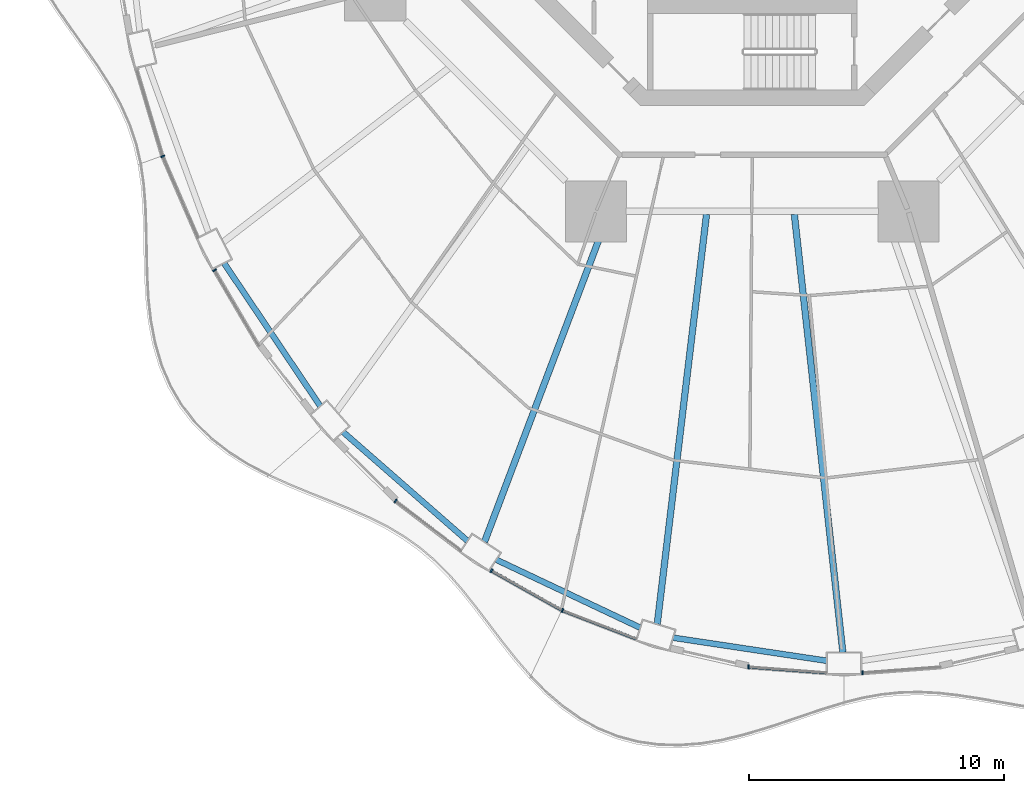
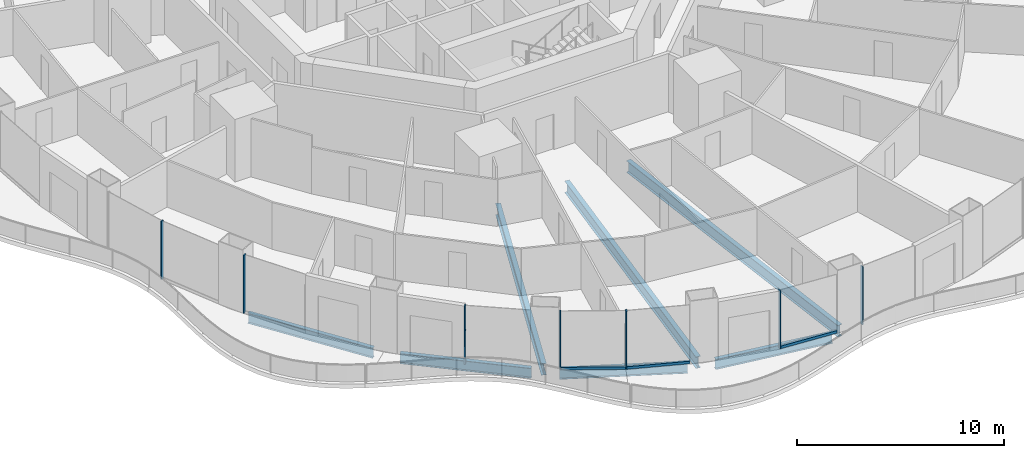
# One storey, part 2 of 22: 10 members, 7 beams, 7 elements without a shape of their own.
"""IFC4 building model written with IfcOpenShell, lengths in metres."""

from ifc_helpers import new_model, si_unit, direction, frame, origin, origin_2d, place, context, subcontext, project, spatial, rectangle, i_section, extrude, material, layer, layer_set, material_profile, profile_set, type_object, element, aggregate, save


model = new_model("IFC4")

# Units and contexts
model_context = context("Model", 3, precision=1e-05, world=origin(), true_north=direction((0.0, 1.0)))
body_context = subcontext(model_context, "Body", "Model", "MODEL_VIEW")
ifc_project = project(units=[si_unit("LENGTHUNIT", "METRE"), si_unit("AREAUNIT", "SQUARE_METRE"), si_unit("VOLUMEUNIT", "CUBIC_METRE"), si_unit("PLANEANGLEUNIT", "RADIAN"), si_unit("MASSUNIT", "GRAM", prefix="KILO")], contexts=[model_context])

# Site, building, storey
site_placement = place(None, origin())
site = spatial("IfcSite", under=ifc_project, at=site_placement, CompositionType="ELEMENT")
building_placement = place(site_placement, origin())
building = spatial("IfcBuilding", under=site, at=building_placement, Name="Nagisa Residences", CompositionType="ELEMENT")
storey_placement = place(building_placement, frame((0.0, 0.0, 52.89990234375)))
storey = spatial("IfcBuildingStorey", under=building, at=storey_placement, Name="L12", CompositionType="ELEMENT", Elevation=52.89990234375)

# Curtain wall, member
ifc_material_1 = material(Name="Concrete-coloured aluminium curtain wall system", Category="concrete")
ifc_layer = layer(ifc_material_1, 0.159912109375)
ifc_layer_set = layer_set([ifc_layer], Name="CW1 CURTAIN WALL")
curtain_wall_type = type_object("IfcCurtainWallType", Name="CW1 CURTAIN WALL", PredefinedType="NOTDEFINED", material=ifc_layer_set)
curtain_wall_1_placement = place(storey_placement, origin())
curtain_wall_1 = element("IfcCurtainWall", 1, at=curtain_wall_1_placement, inside=storey, type_object=curtain_wall_type, Name="cw:CW1:L12:27", PredefinedType="NOTDEFINED")
ifc_material_2 = material(Name="Concrete-coloured aluminium", Category="concrete")
ifc_material_profile_1 = material_profile(ifc_material_2, rectangle(XDim=0.159912109375, YDim=0.06005859375, at=origin_2d()), Name="CW1 MULLION 160x60")
ifc_profile_set_1 = profile_set([ifc_material_profile_1], Name="Concrete-coloured aluminium")
member_type_1 = type_object("IfcMemberType", Name="CW1 MULLION 160x60", PredefinedType="MULLION", material=ifc_profile_set_1)
member_1_placement = place(storey_placement, frame((-23.107177734375, -12.624267578125, 0.0), z_axis=(0.0, 0.0, 1.0), x_axis=(0.917543276295, 0.397635934147, 0.0)))
member_1 = element("IfcMember", 2, at=member_1_placement, type_object=member_type_1, Name="CW1 mullion", PredefinedType="MULLION", context=body_context, shape_type="SweptSolid", body=[
    extrude(rectangle(XDim=0.159912109375, YDim=0.06005859375, at=origin_2d()), origin(), (0.0, 0.0, 1.0), 3.440185546875),
])
aggregate(curtain_wall_1, [member_1])

curtain_wall_2_placement = place(storey_placement, origin())
curtain_wall_2 = element("IfcCurtainWall", 3, at=curtain_wall_2_placement, inside=storey, type_object=curtain_wall_type, Name="cw:CW1:L12:28", PredefinedType="NOTDEFINED")
member_2_placement = place(storey_placement, frame((-21.076171875, -17.089111328125, 0.0), z_axis=(0.0, 0.0, 1.0), x_axis=(0.862328898214, 0.506348567002, 0.0)))
member_2 = element("IfcMember", 4, at=member_2_placement, type_object=member_type_1, Name="CW1 mullion", PredefinedType="MULLION", context=body_context, shape_type="SweptSolid", body=[
    extrude(rectangle(XDim=0.159912109375, YDim=0.06005859375, at=origin_2d()), origin(), (0.0, 0.0, 1.0), 3.440185546875),
])
aggregate(curtain_wall_2, [member_2])

curtain_wall_3_placement = place(storey_placement, origin())
curtain_wall_3 = element("IfcCurtainWall", 5, at=curtain_wall_3_placement, inside=storey, type_object=curtain_wall_type, Name="cw:CW1:L12:31", PredefinedType="NOTDEFINED")
member_3_placement = place(storey_placement, frame((-13.981689453125, -26.13525390625, 0.0), z_axis=(0.0, 0.0, 1.0), x_axis=(0.605255421737, 0.79603132756, 0.0)))
member_3 = element("IfcMember", 6, at=member_3_placement, type_object=member_type_1, Name="CW1 mullion", PredefinedType="MULLION", context=body_context, shape_type="SweptSolid", body=[
    extrude(rectangle(XDim=0.159912109375, YDim=0.06005859375, at=origin_2d()), origin(), (0.0, 0.0, 1.0), 3.440185546875),
])
aggregate(curtain_wall_3, [member_3])

curtain_wall_4_placement = place(storey_placement, origin())
curtain_wall_4 = element("IfcCurtainWall", 7, at=curtain_wall_4_placement, inside=storey, type_object=curtain_wall_type, Name="cw:CW1:L12:32", PredefinedType="NOTDEFINED")
member_4_placement = place(storey_placement, frame((-10.22412109375, -28.8662109375, 0.0), z_axis=(0.0, 0.0, 1.0), x_axis=(0.489376918501, 0.872072377523, 0.0)))
member_4 = element("IfcMember", 8, at=member_4_placement, type_object=member_type_1, Name="CW1 mullion", PredefinedType="MULLION", context=body_context, shape_type="SweptSolid", body=[
    extrude(rectangle(XDim=0.159912109375, YDim=0.06005859375, at=origin_2d()), origin(), (0.0, 0.0, 1.0), 3.440185546875),
])

curtain_wall_5_placement = place(storey_placement, origin())
curtain_wall_5 = element("IfcCurtainWall", 9, at=curtain_wall_5_placement, inside=storey, type_object=curtain_wall_type, Name="cw:CW1:L12:33", PredefinedType="NOTDEFINED")
member_5_placement = place(storey_placement, frame((-7.44091796875, -30.42431640625, 0.0), z_axis=(0.0, 0.0, 1.0), x_axis=(0.360327770268, 0.932825759707, 0.0)))
member_5 = element("IfcMember", 10, at=member_5_placement, type_object=member_type_1, Name="CW1 mullion", PredefinedType="MULLION", context=body_context, shape_type="SweptSolid", body=[
    extrude(rectangle(XDim=0.159912109375, YDim=0.06005859375, at=origin_2d()), origin(), (0.0, 0.0, 1.0), 3.440185546875),
])

curtain_wall_6_placement = place(storey_placement, origin())
curtain_wall_6 = element("IfcCurtainWall", 11, at=curtain_wall_6_placement, inside=storey, type_object=curtain_wall_type, Name="cw:CW1:L12:35", PredefinedType="NOTDEFINED")
member_6_placement = place(storey_placement, frame((-0.1494140625, -32.64013671875, 0.0), z_axis=(0.0, 0.0, 1.0), x_axis=(0.074377355493, 0.997230168512, 0.0)))
member_6 = element("IfcMember", 12, at=member_6_placement, type_object=member_type_1, Name="CW1 mullion", PredefinedType="MULLION", context=body_context, shape_type="SweptSolid", body=[
    extrude(rectangle(XDim=0.159912109375, YDim=0.06005859375, at=origin_2d()), origin(), (0.0, 0.0, 1.0), 3.440185546875),
])

curtain_wall_7_placement = place(storey_placement, origin())
curtain_wall_7 = element("IfcCurtainWall", 13, at=curtain_wall_7_placement, inside=storey, type_object=curtain_wall_type, Name="cw:CW1:L12:36", PredefinedType="NOTDEFINED")
member_7_placement = place(storey_placement, frame((4.322021484375, -32.865966796875, 0.0), z_axis=(0.0, 0.0, 1.0), x_axis=(-0.074377355493, 0.997230168512, 0.0)))
member_7 = element("IfcMember", 14, at=member_7_placement, type_object=member_type_1, Name="CW1 mullion", PredefinedType="MULLION", context=body_context, shape_type="SweptSolid", body=[
    extrude(rectangle(XDim=0.159912109375, YDim=0.06005859375, at=origin_2d()), origin(), (0.0, 0.0, 1.0), 3.440185546875),
])
aggregate(curtain_wall_7, [member_7])

# Member
ifc_material_3 = material(Name="Concrete-coloured aluminium", Category="concrete")
ifc_material_profile_2 = material_profile(ifc_material_3, rectangle(XDim=0.1201171875, YDim=0.14990234375, at=origin_2d()), Name="CW1 TRANSOM 120x150")
ifc_profile_set_2 = profile_set([ifc_material_profile_2], Name="Concrete-coloured aluminium")
member_type_2 = type_object("IfcMemberType", Name="CW1 TRANSOM 120x150", PredefinedType="USERDEFINED", material=ifc_profile_set_2)
member_8_placement = place(storey_placement, frame((-10.25048828125, -28.8515625, 0.0751953125), z_axis=(0.872070011948, -0.489381133946, 0.0), x_axis=(0.489381133946, 0.872070011948, 0.0)))
member_8 = element("IfcMember", 15, at=member_8_placement, type_object=member_type_2, Name="CW1 transom", ObjectType="TRANSOM", PredefinedType="USERDEFINED", context=body_context, shape_type="SweptSolid", body=[
    extrude(rectangle(XDim=0.1201171875, YDim=0.14990234375, at=origin_2d()), origin(), (0.0, 0.0, 1.0), 3.201171875),
])

aggregate(curtain_wall_4, [member_4, member_8])

member_9_placement = place(storey_placement, frame((-7.468994140625, -30.413330078125, 0.0751953125), z_axis=(0.932835426425, -0.360302743822, 0.0), x_axis=(0.360302743822, 0.932835426425, 0.0)))
member_9 = element("IfcMember", 16, at=member_9_placement, type_object=member_type_2, Name="CW1 transom", ObjectType="TRANSOM", PredefinedType="USERDEFINED", context=body_context, shape_type="SweptSolid", body=[
    extrude(rectangle(XDim=0.1201171875, YDim=0.14990234375, at=origin_2d()), origin(), (0.0, 0.0, 1.0), 3.15087890625),
])

aggregate(curtain_wall_5, [member_5, member_9])

member_10_placement = place(storey_placement, frame((-0.17919921875, -32.637939453125, 0.0751953125), z_axis=(0.997230834878, -0.074368420505, 0.0), x_axis=(0.074368420505, 0.997230834878, 0.0)))
member_10 = element("IfcMember", 17, at=member_10_placement, type_object=member_type_2, Name="CW1 transom", ObjectType="TRANSOM", PredefinedType="USERDEFINED", context=body_context, shape_type="SweptSolid", body=[
    extrude(rectangle(XDim=0.1201171875, YDim=0.14990234375, at=origin_2d()), origin(), (0.0, 0.0, 1.0), 3.095703125),
])

aggregate(curtain_wall_6, [member_6, member_10])

# Beams
ifc_material_4 = material(Name="Steel ASTM A572 Gr 50", Category="steel")
ifc_material_profile_3 = material_profile(ifc_material_4, i_section(OverallWidth=0.22802734375, OverallDepth=0.60302734375, WebThickness=0.010498046875, FlangeThickness=0.014892578125, at=origin_2d()), Name="W610x101")
ifc_profile_set_3 = profile_set([ifc_material_profile_3], Name="Steel ASTM A572 Gr 50")
beam_type_1 = type_object("IfcBeamType", Name="Perimeter ring beam W610x101", PredefinedType="BEAM", material=ifc_profile_set_3)
beam_1_placement = place(storey_placement, frame((-20.69921875, -16.818603515625, -0.5615234375), z_axis=(0.558296806041, -0.829641293792, 0.0), x_axis=(0.829641293792, 0.558296806041, 0.0)))
element("IfcBeam", 18, at=beam_1_placement, inside=storey, type_object=beam_type_1, Name="beam:L12:pb15", PredefinedType="BEAM", context=body_context, shape_type="SweptSolid", body=[
    extrude(i_section(OverallWidth=0.22802734375, OverallDepth=0.60302734375, WebThickness=0.010498046875, FlangeThickness=0.014892578125, at=origin_2d()), origin(), (0.0, 0.0, 1.0), 6.74169921875),
])
beam_2_placement = place(storey_placement, frame((-16.0361328125, -23.432861328125, -0.5615234375), z_axis=(0.752574357292, -0.658507279191, 0.0), x_axis=(0.658507279191, 0.752574357292, 0.0)))
element("IfcBeam", 19, at=beam_2_placement, inside=storey, type_object=beam_type_1, Name="beam:L12:pb16", PredefinedType="BEAM", context=body_context, shape_type="SweptSolid", body=[
    extrude(i_section(OverallWidth=0.22802734375, OverallDepth=0.60302734375, WebThickness=0.010498046875, FlangeThickness=0.014892578125, at=origin_2d()), origin(), (0.0, 0.0, 1.0), 6.47021484375),
])
beam_3_placement = place(storey_placement, frame((-10.02880859375, -28.439208984375, -0.5615234375), z_axis=(0.904208275867, -0.427091786216, 0.0), x_axis=(0.427091786216, 0.904208275867, 0.0)))
element("IfcBeam", 20, at=beam_3_placement, inside=storey, type_object=beam_type_1, Name="beam:L12:pb17", PredefinedType="BEAM", context=body_context, shape_type="SweptSolid", body=[
    extrude(i_section(OverallWidth=0.22802734375, OverallDepth=0.60302734375, WebThickness=0.010498046875, FlangeThickness=0.014892578125, at=origin_2d()), origin(), (0.0, 0.0, 1.0), 6.227294921875),
])
beam_4_placement = place(storey_placement, frame((-3.096435546875, -31.49462890625, -0.5615234375), z_axis=(0.988914559467, -0.14848566959, 0.0), x_axis=(0.14848566959, 0.988914559467, 0.0)))
element("IfcBeam", 21, at=beam_4_placement, inside=storey, type_object=beam_type_1, Name="beam:L12:pb18", PredefinedType="BEAM", context=body_context, shape_type="SweptSolid", body=[
    extrude(i_section(OverallWidth=0.22802734375, OverallDepth=0.60302734375, WebThickness=0.010498046875, FlangeThickness=0.014892578125, at=origin_2d()), origin(), (0.0, 0.0, 1.0), 6.08349609375),
])
ifc_material_5 = material(Name="Steel ASTM A572 Gr 50", Category="steel")
ifc_material_profile_4 = material_profile(ifc_material_5, i_section(OverallWidth=0.25390625, OverallDepth=0.68408203125, WebThickness=0.012451171875, FlangeThickness=0.018798828125, at=origin_2d()), Name="W690x140")
ifc_profile_set_4 = profile_set([ifc_material_profile_4], Name="Steel ASTM A572 Gr 50")
beam_type_2 = type_object("IfcBeamType", Name="Radial beam W690x140", PredefinedType="BEAM", material=ifc_profile_set_4)
beam_5_placement = place(storey_placement, frame((-10.493896484375, -27.7333984375, -0.601806640625), z_axis=(0.353887892206, 0.935287848606, 0.0), x_axis=(-0.935287848606, 0.353887892206, 0.0)))
element("IfcBeam", 22, at=beam_5_placement, inside=storey, type_object=beam_type_2, Name="beam:L12:rb17", PredefinedType="BEAM", context=body_context, shape_type="SweptSolid", body=[
    extrude(i_section(OverallWidth=0.25390625, OverallDepth=0.68408203125, WebThickness=0.012451171875, FlangeThickness=0.018798828125, at=origin_2d()), origin(), (0.0, 0.0, 1.0), 13.725830078125),
])
beam_6_placement = place(storey_placement, frame((-3.72412109375, -30.958740234375, -0.601806640625), z_axis=(0.119431411612, 0.992842453726, 0.0), x_axis=(-0.992842453726, 0.119431411612, 0.0)))
element("IfcBeam", 23, at=beam_6_placement, inside=storey, type_object=beam_type_2, Name="beam:L12:rb18", PredefinedType="BEAM", context=body_context, shape_type="SweptSolid", body=[
    extrude(i_section(OverallWidth=0.25390625, OverallDepth=0.68408203125, WebThickness=0.012451171875, FlangeThickness=0.018798828125, at=origin_2d()), origin(), (0.0, 0.0, 1.0), 16.1796875),
])
beam_7_placement = place(storey_placement, frame((3.55224609375, -32.06982421875, -0.601806640625), z_axis=(-0.110088818647, 0.993921753464, 0.0), x_axis=(-0.993921753464, -0.110088818647, 0.0)))
element("IfcBeam", 24, at=beam_7_placement, inside=storey, type_object=beam_type_2, Name="beam:L12:rb19", PredefinedType="BEAM", context=body_context, shape_type="SweptSolid", body=[
    extrude(i_section(OverallWidth=0.25390625, OverallDepth=0.68408203125, WebThickness=0.012451171875, FlangeThickness=0.018798828125, at=origin_2d()), origin(), (0.0, 0.0, 1.0), 17.280029296875),
])

save(model, "model.ifc")
